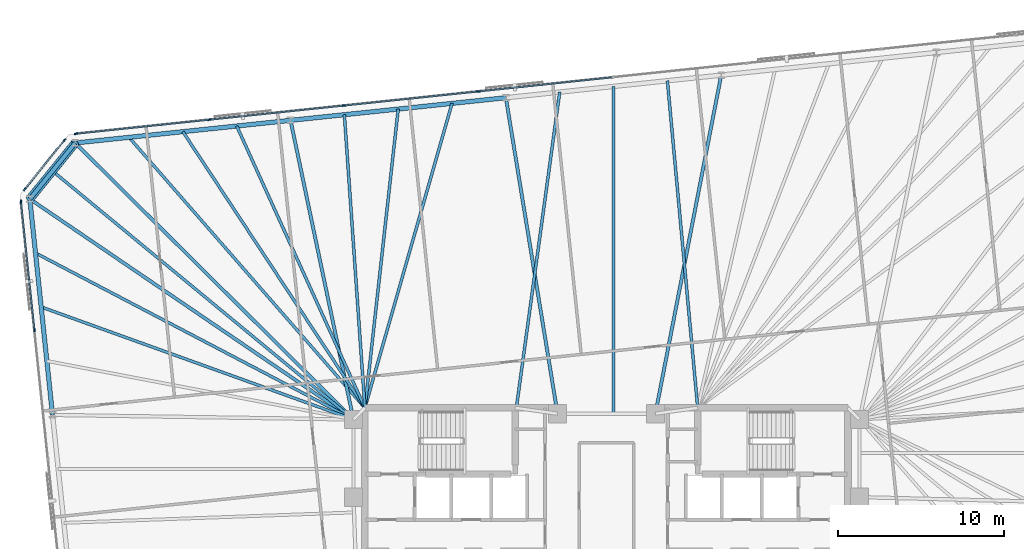
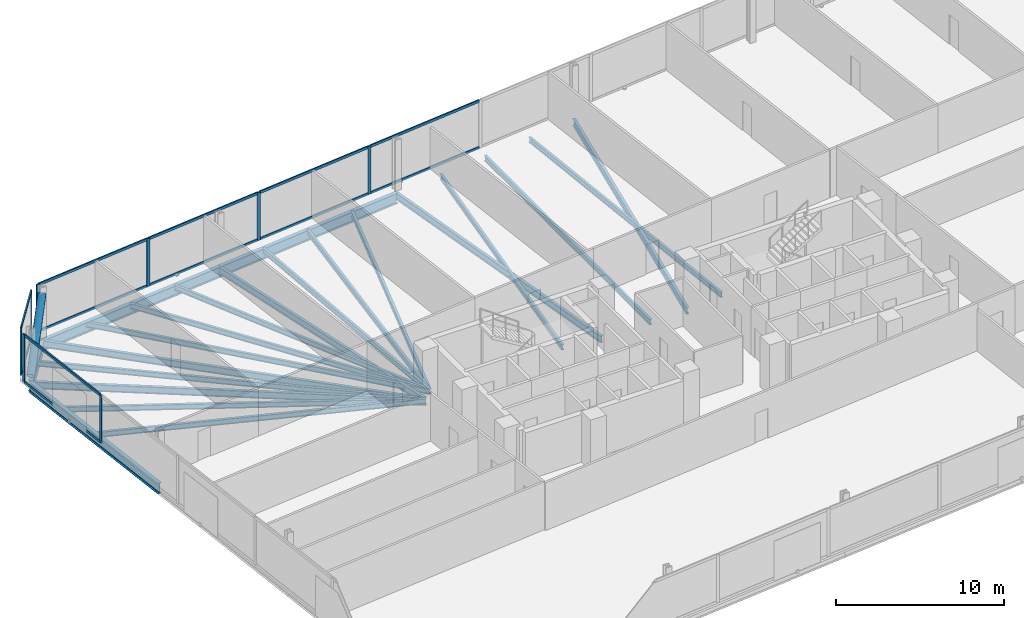
# One storey, part 9 of 18: 21 beams, 21 members, 3 elements without a shape of their own.
"""IFC4 building model written with IfcOpenShell, lengths in metres."""

from ifc_helpers import new_model, si_unit, direction, frame, origin, origin_2d, place, context, subcontext, project, spatial, rectangle, hollow_circle, i_section, extrude, material, material_profile, profile_set, type_object, element, aggregate, save


model = new_model("IFC4")

# Units and contexts
model_context = context("Model", 3, precision=1e-05, world=origin(), true_north=direction((0.0, 1.0)))
body_context = subcontext(model_context, "Body", "Model", "MODEL_VIEW")
ifc_project = project(units=[si_unit("LENGTHUNIT", "METRE"), si_unit("AREAUNIT", "SQUARE_METRE"), si_unit("VOLUMEUNIT", "CUBIC_METRE"), si_unit("PLANEANGLEUNIT", "RADIAN"), si_unit("MASSUNIT", "GRAM", prefix="KILO")], contexts=[model_context])

# Site, building, storey
site_placement = place(None, origin())
site = spatial("IfcSite", under=ifc_project, at=site_placement, CompositionType="ELEMENT")
building_placement = place(site_placement, origin())
building = spatial("IfcBuilding", under=site, at=building_placement, Name="Menara Jurai Vektor", CompositionType="ELEMENT")
storey_placement = place(building_placement, frame((0.0, 0.0, 105.89990234375)))
storey = spatial("IfcBuildingStorey", under=building, at=storey_placement, Name="L26", CompositionType="ELEMENT", Elevation=105.89990234375)

# Curtain wall, members
ifc_material_1 = material(Name="Anodised Pale Aluminium & Low-E Double Glazing", Category="aluminium")
curtain_wall_type = type_object("IfcCurtainWallType", Name="CW-BLK2", PredefinedType="NOTDEFINED", material=ifc_material_1)
curtain_wall_1_placement = place(storey_placement, origin())
curtain_wall_1 = element("IfcCurtainWall", 1, at=curtain_wall_1_placement, inside=storey, type_object=curtain_wall_type, Name="Unitised Curtain Wall L26 F05", PredefinedType="NOTDEFINED")
ifc_material_2 = material(Name="Anodised Pale Aluminium Mullion", Category="aluminium")
ifc_material_profile_1 = material_profile(ifc_material_2, rectangle(XDim=0.090087890625, YDim=0.219970703125, at=origin_2d()), Name="ALU MUL 90x220")
ifc_profile_set_1 = profile_set([ifc_material_profile_1], Name="Anodised Pale Aluminium Mullion")
member_type_1 = type_object("IfcMemberType", Name="CW-BLK2-MUL", PredefinedType="MULLION", material=ifc_profile_set_1)
member_1_placement = place(storey_placement, frame((-7.728271484375, 24.67138671875, 0.0), z_axis=(0.0, 0.0, 1.0), x_axis=(0.104528634935, -0.994521877325, 0.0)))
member_1 = element("IfcMember", 2, at=member_1_placement, type_object=member_type_1, Name="CW-02 mullion 6", PredefinedType="MULLION", context=body_context, shape_type="SweptSolid", body=[
    extrude(rectangle(XDim=0.090087890625, YDim=0.219970703125, at=origin_2d()), origin(), (0.0, 0.0, 1.0), 3.47509765625),
])
member_2_placement = place(storey_placement, frame((-15.826171875, 23.8203125, 0.0), z_axis=(0.0, 0.0, 1.0), x_axis=(0.104528634935, -0.994521877325, 0.0)))
member_2 = element("IfcMember", 3, at=member_2_placement, type_object=member_type_1, Name="CW-02 mullion 7", PredefinedType="MULLION", context=body_context, shape_type="SweptSolid", body=[
    extrude(rectangle(XDim=0.090087890625, YDim=0.219970703125, at=origin_2d()), origin(), (0.0, 0.0, 1.0), 3.47509765625),
])
member_3_placement = place(storey_placement, frame((-23.924072265625, 22.96923828125, 0.0), z_axis=(0.0, 0.0, 1.0), x_axis=(0.104528634935, -0.994521877325, 0.0)))
member_3 = element("IfcMember", 4, at=member_3_placement, type_object=member_type_1, Name="CW-02 mullion 8", PredefinedType="MULLION", context=body_context, shape_type="SweptSolid", body=[
    extrude(rectangle(XDim=0.090087890625, YDim=0.219970703125, at=origin_2d()), origin(), (0.0, 0.0, 1.0), 3.47509765625),
])
member_4_placement = place(storey_placement, frame((-31.97705078125, 22.122802734375, 0.0), z_axis=(0.0, 0.0, 1.0), x_axis=(0.104528634935, -0.994521877325, 0.0)))
member_4 = element("IfcMember", 5, at=member_4_placement, type_object=member_type_1, Name="CW-02 mullion 9", PredefinedType="MULLION", context=body_context, shape_type="SweptSolid", body=[
    extrude(rectangle(XDim=0.090087890625, YDim=0.219970703125, at=origin_2d()), origin(), (0.0, 0.0, 1.0), 3.47509765625),
])

curtain_wall_2_placement = place(storey_placement, origin())
curtain_wall_2 = element("IfcCurtainWall", 6, at=curtain_wall_2_placement, inside=storey, type_object=curtain_wall_type, Name="Unitised Curtain Wall L26 F06", PredefinedType="NOTDEFINED")
member_5_placement = place(storey_placement, frame((-32.667236328125, 21.748046875, 0.0), z_axis=(0.0, 0.0, 1.0), x_axis=(0.777129222223, -0.62934106172, 0.0)))
member_5 = element("IfcMember", 7, at=member_5_placement, type_object=member_type_1, Name="CW-02 mullion 1", PredefinedType="MULLION", context=body_context, shape_type="SweptSolid", body=[
    extrude(rectangle(XDim=0.090087890625, YDim=0.219970703125, at=origin_2d()), origin(), (0.0, 0.0, 1.0), 3.47509765625),
])
member_6_placement = place(storey_placement, frame((-35.0693359375, 18.781982421875, 0.0), z_axis=(0.0, 0.0, 1.0), x_axis=(0.777129222223, -0.62934106172, 0.0)))
member_6 = element("IfcMember", 8, at=member_6_placement, type_object=member_type_1, Name="CW-02 mullion 2", PredefinedType="MULLION", context=body_context, shape_type="SweptSolid", body=[
    extrude(rectangle(XDim=0.090087890625, YDim=0.219970703125, at=origin_2d()), origin(), (0.0, 0.0, 1.0), 3.47509765625),
])

curtain_wall_3_placement = place(storey_placement, origin())
curtain_wall_3 = element("IfcCurtainWall", 9, at=curtain_wall_3_placement, inside=storey, type_object=curtain_wall_type, Name="Unitised Curtain Wall L26 F07", PredefinedType="NOTDEFINED")
member_7_placement = place(storey_placement, frame((-35.29248046875, 18.029052734375, 0.0), z_axis=(0.0, 0.0, 1.0), x_axis=(0.99452177832, 0.104529576902, 0.0)))
member_7 = element("IfcMember", 10, at=member_7_placement, type_object=member_type_1, Name="CW-02 mullion 1", PredefinedType="MULLION", context=body_context, shape_type="SweptSolid", body=[
    extrude(rectangle(XDim=0.090087890625, YDim=0.219970703125, at=origin_2d()), origin(), (0.0, 0.0, 1.0), 3.47509765625),
])
member_8_placement = place(storey_placement, frame((-34.478759765625, 10.28857421875, 0.0), z_axis=(0.0, 0.0, 1.0), x_axis=(0.99452177832, 0.104529576902, 0.0)))
member_8 = element("IfcMember", 11, at=member_8_placement, type_object=member_type_1, Name="CW-02 mullion 2", PredefinedType="MULLION", context=body_context, shape_type="SweptSolid", body=[
    extrude(rectangle(XDim=0.090087890625, YDim=0.219970703125, at=origin_2d()), origin(), (0.0, 0.0, 1.0), 3.47509765625),
])

# Member
ifc_material_3 = material(Name="Anodised Pale Aluminium Transom", Category="aluminium")
ifc_material_profile_2 = material_profile(ifc_material_3, rectangle(XDim=0.090087890625, YDim=0.18505859375, at=origin_2d()), Name="ALU TRN 90x185")
ifc_profile_set_2 = profile_set([ifc_material_profile_2], Name="Anodised Pale Aluminium Transom")
member_type_2 = type_object("IfcMemberType", Name="CW-BLK2-TRN", PredefinedType="USERDEFINED", material=ifc_profile_set_2)
member_9_placement = place(storey_placement, frame((0.324951171875, 25.517822265625, 0.045166015625), z_axis=(-0.99452387809, -0.104509597213, 0.0), x_axis=(0.104509597213, -0.99452387809, 0.0)))
member_9 = element("IfcMember", 12, at=member_9_placement, type_object=member_type_2, Name="CW-02 transom 5.1", ObjectType="TRANSOM", PredefinedType="USERDEFINED", context=body_context, shape_type="SweptSolid", body=[
    extrude(rectangle(XDim=0.090087890625, YDim=0.18505859375, at=origin_2d()), origin(), (0.0, 0.0, 1.0), 8.052490234375),
])

member_10_placement = place(storey_placement, frame((0.324951171875, 25.517822265625, 3.43017578125), z_axis=(-0.99452387809, -0.104509597213, 0.0), x_axis=(0.104509597213, -0.99452387809, 0.0)))
member_10 = element("IfcMember", 13, at=member_10_placement, type_object=member_type_2, Name="CW-02 transom 5.2", ObjectType="TRANSOM", PredefinedType="USERDEFINED", context=body_context, shape_type="SweptSolid", body=[
    extrude(rectangle(XDim=0.090087890625, YDim=0.18505859375, at=origin_2d()), origin(), (0.0, 0.0, 1.0), 8.052490234375),
])

member_11_placement = place(storey_placement, frame((-7.77294921875, 24.666748046875, 0.045166015625), z_axis=(-0.994520726373, -0.10453958492, 0.0), x_axis=(0.10453958492, -0.994520726373, 0.0)))
member_11 = element("IfcMember", 14, at=member_11_placement, type_object=member_type_2, Name="CW-02 transom 6.1", ObjectType="TRANSOM", PredefinedType="USERDEFINED", context=body_context, shape_type="SweptSolid", body=[
    extrude(rectangle(XDim=0.090087890625, YDim=0.18505859375, at=origin_2d()), origin(), (0.0, 0.0, 1.0), 8.052490234375),
])

member_12_placement = place(storey_placement, frame((-7.77294921875, 24.666748046875, 3.43017578125), z_axis=(-0.994520726373, -0.10453958492, 0.0), x_axis=(0.10453958492, -0.994520726373, 0.0)))
member_12 = element("IfcMember", 15, at=member_12_placement, type_object=member_type_2, Name="CW-02 transom 6.2", ObjectType="TRANSOM", PredefinedType="USERDEFINED", context=body_context, shape_type="SweptSolid", body=[
    extrude(rectangle(XDim=0.090087890625, YDim=0.18505859375, at=origin_2d()), origin(), (0.0, 0.0, 1.0), 8.052490234375),
])

member_13_placement = place(storey_placement, frame((-15.870849609375, 23.815673828125, 0.045166015625), z_axis=(-0.994520726373, -0.10453958492, 0.0), x_axis=(0.10453958492, -0.994520726373, 0.0)))
member_13 = element("IfcMember", 16, at=member_13_placement, type_object=member_type_2, Name="CW-02 transom 7.1", ObjectType="TRANSOM", PredefinedType="USERDEFINED", context=body_context, shape_type="SweptSolid", body=[
    extrude(rectangle(XDim=0.090087890625, YDim=0.18505859375, at=origin_2d()), origin(), (0.0, 0.0, 1.0), 8.052490234375),
])

member_14_placement = place(storey_placement, frame((-15.870849609375, 23.815673828125, 3.43017578125), z_axis=(-0.994520726373, -0.10453958492, 0.0), x_axis=(0.10453958492, -0.994520726373, 0.0)))
member_14 = element("IfcMember", 17, at=member_14_placement, type_object=member_type_2, Name="CW-02 transom 7.2", ObjectType="TRANSOM", PredefinedType="USERDEFINED", context=body_context, shape_type="SweptSolid", body=[
    extrude(rectangle(XDim=0.090087890625, YDim=0.18505859375, at=origin_2d()), origin(), (0.0, 0.0, 1.0), 8.052490234375),
])

member_15_placement = place(storey_placement, frame((-23.96875, 22.964599609375, 0.045166015625), z_axis=(-0.994519977808, -0.104546706027, 0.0), x_axis=(0.104546706027, -0.994519977808, 0.0)))
member_15 = element("IfcMember", 18, at=member_15_placement, type_object=member_type_2, Name="CW-02 transom 8.1", ObjectType="TRANSOM", PredefinedType="USERDEFINED", context=body_context, shape_type="SweptSolid", body=[
    extrude(rectangle(XDim=0.090087890625, YDim=0.18505859375, at=origin_2d()), origin(), (0.0, 0.0, 1.0), 8.007568359375),
])

member_16_placement = place(storey_placement, frame((-23.96875, 22.964599609375, 3.43017578125), z_axis=(-0.994519977808, -0.104546706027, 0.0), x_axis=(0.104546706027, -0.994519977808, 0.0)))
member_16 = element("IfcMember", 19, at=member_16_placement, type_object=member_type_2, Name="CW-02 transom 8.2", ObjectType="TRANSOM", PredefinedType="USERDEFINED", context=body_context, shape_type="SweptSolid", body=[
    extrude(rectangle(XDim=0.090087890625, YDim=0.18505859375, at=origin_2d()), origin(), (0.0, 0.0, 1.0), 8.007568359375),
])

aggregate(curtain_wall_1, [member_1, member_2, member_3, member_4, member_9, member_10, member_11, member_12, member_13, member_14, member_15, member_16])

member_17_placement = place(storey_placement, frame((-32.695556640625, 21.713134765625, 0.045166015625), z_axis=(-0.6293414396, -0.777128916205, 0.0), x_axis=(0.777128916205, -0.6293414396, 0.0)))
member_17 = element("IfcMember", 20, at=member_17_placement, type_object=member_type_2, Name="CW-02 transom 1.1", ObjectType="TRANSOM", PredefinedType="USERDEFINED", context=body_context, shape_type="SweptSolid", body=[
    extrude(rectangle(XDim=0.090087890625, YDim=0.18505859375, at=origin_2d()), origin(), (0.0, 0.0, 1.0), 3.726806640625),
])

member_18_placement = place(storey_placement, frame((-32.695556640625, 21.713134765625, 3.43017578125), z_axis=(-0.6293414396, -0.777128916205, 0.0), x_axis=(0.777128916205, -0.6293414396, 0.0)))
member_18 = element("IfcMember", 21, at=member_18_placement, type_object=member_type_2, Name="CW-02 transom 1.2", ObjectType="TRANSOM", PredefinedType="USERDEFINED", context=body_context, shape_type="SweptSolid", body=[
    extrude(rectangle(XDim=0.090087890625, YDim=0.18505859375, at=origin_2d()), origin(), (0.0, 0.0, 1.0), 3.726806640625),
])

aggregate(curtain_wall_2, [member_5, member_6, member_17, member_18])

member_19_placement = place(storey_placement, frame((-35.28759765625, 17.984130859375, 0.045166015625), z_axis=(0.104504716935, -0.994524390922, 0.0), x_axis=(0.994524390922, 0.104504716935, 0.0)))
member_19 = element("IfcMember", 22, at=member_19_placement, type_object=member_type_2, Name="CW-02 transom 1.1", ObjectType="TRANSOM", PredefinedType="USERDEFINED", context=body_context, shape_type="SweptSolid", body=[
    extrude(rectangle(XDim=0.090087890625, YDim=0.18505859375, at=origin_2d()), origin(), (0.0, 0.0, 1.0), 7.693115234375),
])

member_20_placement = place(storey_placement, frame((-35.28759765625, 17.984130859375, 3.43017578125), z_axis=(0.104504716935, -0.994524390922, 0.0), x_axis=(0.994524390922, 0.104504716935, 0.0)))
member_20 = element("IfcMember", 23, at=member_20_placement, type_object=member_type_2, Name="CW-02 transom 1.2", ObjectType="TRANSOM", PredefinedType="USERDEFINED", context=body_context, shape_type="SweptSolid", body=[
    extrude(rectangle(XDim=0.090087890625, YDim=0.18505859375, at=origin_2d()), origin(), (0.0, 0.0, 1.0), 7.693115234375),
])

aggregate(curtain_wall_3, [member_7, member_8, member_19, member_20])

# Beams
ifc_material_4 = material(Name="Steel S355", Category="steel")
ifc_material_profile_3 = material_profile(ifc_material_4, i_section(OverallWidth=0.199951171875, OverallDepth=0.5, WebThickness=0.011962890625, FlangeThickness=0.02001953125, at=origin_2d()), Name="PG 500x200x96")
ifc_profile_set_3 = profile_set([ifc_material_profile_3], Name="Steel S355")
beam_type_1 = type_object("IfcBeamType", Name="STR-BM-500", PredefinedType="BEAM", material=ifc_profile_set_3)
beam_1_placement = place(storey_placement, frame((6.9169921875, 25.65771484375, -0.474853515625), z_axis=(-0.190817481746, -0.981625533826, 0.0), x_axis=(0.981625533826, -0.190817481746, 0.0)))
element("IfcBeam", 24, at=beam_1_placement, inside=storey, type_object=beam_type_1, Name="Radial Floor Girder L26-N3", PredefinedType="BEAM", context=body_context, shape_type="SweptSolid", body=[
    extrude(i_section(OverallWidth=0.199951171875, OverallDepth=0.5, WebThickness=0.011962890625, FlangeThickness=0.02001953125, at=origin_2d()), origin(), (0.0, 0.0, 1.0), 20.789794921875),
])
beam_2_placement = place(storey_placement, frame((-6.0625, 24.29345703125, -0.474853515625), z_axis=(0.161304178177, -0.986904738109, 0.0), x_axis=(0.986904738109, 0.161304178177, 0.0)))
element("IfcBeam", 25, at=beam_2_placement, inside=storey, type_object=beam_type_1, Name="Radial Floor Girder L26-N4", PredefinedType="BEAM", context=body_context, shape_type="SweptSolid", body=[
    extrude(i_section(OverallWidth=0.199951171875, OverallDepth=0.5, WebThickness=0.011962890625, FlangeThickness=0.02001953125, at=origin_2d()), origin(), (0.0, 0.0, 1.0), 19.296142578125),
])
beam_3_placement = place(storey_placement, frame((-19.042236328125, 22.92919921875, -0.474853515625), z_axis=(0.205833499861, -0.978587027471, 0.0), x_axis=(0.978587027471, 0.205833499861, 0.0)))
element("IfcBeam", 26, at=beam_3_placement, inside=storey, type_object=beam_type_1, Name="Radial Floor Girder L26-N5", PredefinedType="BEAM", context=body_context, shape_type="SweptSolid", body=[
    extrude(i_section(OverallWidth=0.199951171875, OverallDepth=0.5, WebThickness=0.011962890625, FlangeThickness=0.02001953125, at=origin_2d()), origin(), (0.0, 0.0, 1.0), 18.423828125),
])
beam_4_placement = place(storey_placement, frame((-32.02197265625, 21.565185546875, -0.474853515625), z_axis=(0.709359361276, -0.704847002242, 0.0), x_axis=(0.704847002242, 0.709359361276, 0.0)))
element("IfcBeam", 27, at=beam_4_placement, inside=storey, type_object=beam_type_1, Name="Radial Floor Girder L26-N6", PredefinedType="BEAM", context=body_context, shape_type="SweptSolid", body=[
    extrude(i_section(OverallWidth=0.199951171875, OverallDepth=0.5, WebThickness=0.011962890625, FlangeThickness=0.02001953125, at=origin_2d()), origin(), (0.0, 0.0, 1.0), 23.643798828125),
])
beam_5_placement = place(storey_placement, frame((-34.756103515625, 18.188720703125, -0.474853515625), z_axis=(0.826440214756, -0.563024485643, 0.0), x_axis=(0.563024485643, 0.826440214756, 0.0)))
element("IfcBeam", 28, at=beam_5_placement, inside=storey, type_object=beam_type_1, Name="Radial Floor Girder L26-W1", PredefinedType="BEAM", context=body_context, shape_type="SweptSolid", body=[
    extrude(i_section(OverallWidth=0.199951171875, OverallDepth=0.5, WebThickness=0.011962890625, FlangeThickness=0.02001953125, at=origin_2d()), origin(), (0.0, 0.0, 1.0), 23.6025390625),
])

# Member
ifc_material_5 = material(Name="Steel S460", Category="steel")
ifc_material_profile_4 = material_profile(ifc_material_5, hollow_circle(Radius=0.25390625, WallThickness=0.02001953125, at=origin_2d()), Name="CHS 508x20")
ifc_profile_set_4 = profile_set([ifc_material_profile_4], Name="Steel S460")
member_type_3 = type_object("IfcMemberType", Name="STR-BR-508", PredefinedType="BRACE", material=ifc_profile_set_4)
member_21_placement = place(storey_placement, frame((-34.756103515625, 18.188720703125, 0.150146484375), z_axis=(0.51925145818, 0.641240080956, 0.564968213047), x_axis=(-0.777154568396, 0.629309762217, 0.0)))
element("IfcMember", 29, at=member_21_placement, inside=storey, type_object=member_type_3, Name="Exoskeleton Corner Brace L26-3", PredefinedType="BRACE", context=body_context, shape_type="SweptSolid", body=[
    extrude(hollow_circle(Radius=0.25390625, WallThickness=0.02001953125, at=origin_2d()), origin(), (0.0, 0.0, 1.0), 5.265625),
])

# Beams
ifc_material_profile_5 = material_profile(ifc_material_4, i_section(OverallWidth=0.175048828125, OverallDepth=0.3798828125, WebThickness=0.010009765625, FlangeThickness=0.014892578125, at=origin_2d()), Name="PG 380x175x58")
ifc_profile_set_5 = profile_set([ifc_material_profile_5], Name="Steel S355")
beam_type_2 = type_object("IfcBeamType", Name="STR-JS-380", PredefinedType="JOIST", material=ifc_profile_set_5)
beam_6_placement = place(storey_placement, frame((3.672119140625, 25.316650390625, -0.414794921875), z_axis=(0.092312082085, -0.995730123829, 0.0), x_axis=(0.995730123829, 0.092312082085, 0.0)))
element("IfcBeam", 30, at=beam_6_placement, inside=storey, type_object=beam_type_2, Name="Radial Secondary Floor Joist L26-JS26", PredefinedType="JOIST", context=body_context, shape_type="SweptSolid", body=[
    extrude(i_section(OverallWidth=0.175048828125, OverallDepth=0.3798828125, WebThickness=0.010009765625, FlangeThickness=0.014892578125, at=origin_2d()), origin(), (0.0, 0.0, 1.0), 19.801025390625),
])
beam_7_placement = place(storey_placement, frame((0.42724609375, 24.9755859375, -0.414794921875), z_axis=(0.0, -1.0, 0.0), x_axis=(1.0, 0.0, 0.0)))
element("IfcBeam", 31, at=beam_7_placement, inside=storey, type_object=beam_type_2, Name="Radial Secondary Floor Joist L26-JS27", PredefinedType="JOIST", context=body_context, shape_type="SweptSolid", body=[
    extrude(i_section(OverallWidth=0.175048828125, OverallDepth=0.3798828125, WebThickness=0.010009765625, FlangeThickness=0.014892578125, at=origin_2d()), origin(), (0.0, 0.0, 1.0), 19.7255859375),
])
beam_8_placement = place(storey_placement, frame((-2.817626953125, 24.634521484375, -0.414794921875), z_axis=(-0.135987109192, -0.990710606652, 0.0), x_axis=(0.990710606652, -0.135987109192, 0.0)))
element("IfcBeam", 32, at=beam_8_placement, inside=storey, type_object=beam_type_2, Name="Radial Secondary Floor Joist L26-JS28", PredefinedType="JOIST", context=body_context, shape_type="SweptSolid", body=[
    extrude(i_section(OverallWidth=0.175048828125, OverallDepth=0.3798828125, WebThickness=0.010009765625, FlangeThickness=0.014892578125, at=origin_2d()), origin(), (0.0, 0.0, 1.0), 19.222412109375),
])
beam_9_placement = place(storey_placement, frame((-9.3076171875, 23.952392578125, -0.414794921875), z_axis=(-0.275153530359, -0.961400298903, 0.0), x_axis=(0.961400298903, -0.275153530359, 0.0)))
element("IfcBeam", 33, at=beam_9_placement, inside=storey, type_object=beam_type_2, Name="Radial Secondary Floor Joist L26-JS29", PredefinedType="JOIST", context=body_context, shape_type="SweptSolid", body=[
    extrude(i_section(OverallWidth=0.175048828125, OverallDepth=0.3798828125, WebThickness=0.010009765625, FlangeThickness=0.014892578125, at=origin_2d()), origin(), (0.0, 0.0, 1.0), 19.089111328125),
])
beam_10_placement = place(storey_placement, frame((-12.552490234375, 23.611328125, -0.414794921875), z_axis=(-0.110776028048, -0.993845396231, 0.0), x_axis=(0.993845396231, -0.110776028048, 0.0)))
element("IfcBeam", 34, at=beam_10_placement, inside=storey, type_object=beam_type_2, Name="Radial Secondary Floor Joist L26-JS30", PredefinedType="JOIST", context=body_context, shape_type="SweptSolid", body=[
    extrude(i_section(OverallWidth=0.175048828125, OverallDepth=0.3798828125, WebThickness=0.010009765625, FlangeThickness=0.014892578125, at=origin_2d()), origin(), (0.0, 0.0, 1.0), 18.122802734375),
])
beam_11_placement = place(storey_placement, frame((-15.79736328125, 23.2705078125, -0.414794921875), z_axis=(0.069850249402, -0.997557488398, 0.0), x_axis=(0.997557488398, 0.069850249402, 0.0)))
element("IfcBeam", 35, at=beam_11_placement, inside=storey, type_object=beam_type_2, Name="Radial Secondary Floor Joist L26-JS31", PredefinedType="JOIST", context=body_context, shape_type="SweptSolid", body=[
    extrude(i_section(OverallWidth=0.175048828125, OverallDepth=0.3798828125, WebThickness=0.010009765625, FlangeThickness=0.014892578125, at=origin_2d()), origin(), (0.0, 0.0, 1.0), 17.713623046875),
])
beam_12_placement = place(storey_placement, frame((-22.287109375, 22.58837890625, -0.414794921875), z_axis=(0.414029617818, -0.910263409992, 0.0), x_axis=(0.910263409992, 0.414029617818, 0.0)))
element("IfcBeam", 36, at=beam_12_placement, inside=storey, type_object=beam_type_2, Name="Radial Secondary Floor Joist L26-JS32", PredefinedType="JOIST", context=body_context, shape_type="SweptSolid", body=[
    extrude(i_section(OverallWidth=0.175048828125, OverallDepth=0.3798828125, WebThickness=0.010009765625, FlangeThickness=0.014892578125, at=origin_2d()), origin(), (0.0, 0.0, 1.0), 18.6630859375),
])
beam_13_placement = place(storey_placement, frame((-25.531982421875, 22.247314453125, -0.414794921875), z_axis=(0.550309675793, -0.834960634239, 0.0), x_axis=(0.834960634239, 0.550309675793, 0.0)))
element("IfcBeam", 37, at=beam_13_placement, inside=storey, type_object=beam_type_2, Name="Radial Secondary Floor Joist L26-JS33", PredefinedType="JOIST", context=body_context, shape_type="SweptSolid", body=[
    extrude(i_section(OverallWidth=0.175048828125, OverallDepth=0.3798828125, WebThickness=0.010009765625, FlangeThickness=0.014892578125, at=origin_2d()), origin(), (0.0, 0.0, 1.0), 19.937744140625),
])
beam_14_placement = place(storey_placement, frame((-28.777099609375, 21.90625, -0.414794921875), z_axis=(0.657172520545, -0.753740192798, 0.0), x_axis=(0.753740192798, 0.657172520545, 0.0)))
element("IfcBeam", 38, at=beam_14_placement, inside=storey, type_object=beam_type_2, Name="Radial Secondary Floor Joist L26-JS34", PredefinedType="JOIST", context=body_context, shape_type="SweptSolid", body=[
    extrude(i_section(OverallWidth=0.175048828125, OverallDepth=0.3798828125, WebThickness=0.010009765625, FlangeThickness=0.014892578125, at=origin_2d()), origin(), (0.0, 0.0, 1.0), 21.633544921875),
])
beam_15_placement = place(storey_placement, frame((-33.388916015625, 19.876953125, -0.414794921875), z_axis=(0.771113505069, -0.636697700876, 0.0), x_axis=(0.636697700876, 0.771113505069, 0.0)))
element("IfcBeam", 39, at=beam_15_placement, inside=storey, type_object=beam_type_2, Name="Radial Secondary Floor Joist L26-JS35", PredefinedType="JOIST", context=body_context, shape_type="SweptSolid", body=[
    extrude(i_section(OverallWidth=0.175048828125, OverallDepth=0.3798828125, WebThickness=0.010009765625, FlangeThickness=0.014892578125, at=origin_2d()), origin(), (0.0, 0.0, 1.0), 23.52294921875),
])
beam_16_placement = place(storey_placement, frame((-34.414306640625, 14.935302734375, -0.414794921875), z_axis=(0.885889402471, -0.463896504179, 0.0), x_axis=(0.463896504179, 0.885889402471, 0.0)))
element("IfcBeam", 40, at=beam_16_placement, inside=storey, type_object=beam_type_2, Name="Radial Secondary Floor Joist L26-JS36", PredefinedType="JOIST", context=body_context, shape_type="SweptSolid", body=[
    extrude(i_section(OverallWidth=0.175048828125, OverallDepth=0.3798828125, WebThickness=0.010009765625, FlangeThickness=0.014892578125, at=origin_2d()), origin(), (0.0, 0.0, 1.0), 21.6328125),
])
beam_17_placement = place(storey_placement, frame((-34.072265625, 11.681884765625, -0.414794921875), z_axis=(0.940792327273, -0.338983475917, 0.0), x_axis=(0.338983475917, 0.940792327273, 0.0)))
element("IfcBeam", 41, at=beam_17_placement, inside=storey, type_object=beam_type_2, Name="Radial Secondary Floor Joist L26-JS37", PredefinedType="JOIST", context=body_context, shape_type="SweptSolid", body=[
    extrude(i_section(OverallWidth=0.175048828125, OverallDepth=0.3798828125, WebThickness=0.010009765625, FlangeThickness=0.014892578125, at=origin_2d()), origin(), (0.0, 0.0, 1.0), 20.0068359375),
])
ifc_material_profile_6 = material_profile(ifc_material_5, i_section(OverallWidth=0.26806640625, OverallDepth=0.77001953125, WebThickness=0.01611328125, FlangeThickness=0.02490234375, FilletRadius=0.01708984375, at=origin_2d()), Name="UKB 762x267x197")
ifc_profile_set_6 = profile_set([ifc_material_profile_6], Name="Steel S460")
beam_type_3 = type_object("IfcBeamType", Name="STR-SP-762", PredefinedType="SPANDREL", material=ifc_profile_set_6)
for number, where, z_axis, x_axis, name in (
    (42, (-6.0625, 24.29345703125, -0.60986328125), (-0.994521636083, -0.104530930169, 0.0), (0.104530930169, -0.994521636083, 0.0), "Exoskeleton Spandrel Beam L26-14"),
    (43, (-19.042236328125, 22.92919921875, -0.60986328125), (-0.994523580592, -0.104512428191, 0.0), (0.104512428191, -0.994523580592, 0.0), "Exoskeleton Spandrel Beam L26-15"),
):
    element("IfcBeam", number, at=place(storey_placement, frame(where, z_axis=z_axis, x_axis=x_axis)), inside=storey, type_object=beam_type_3, Name=name, PredefinedType="SPANDREL", context=body_context, shape_type="SweptSolid", body=[
        extrude(i_section(OverallWidth=0.26806640625, OverallDepth=0.77001953125, WebThickness=0.01611328125, FlangeThickness=0.02490234375, FilletRadius=0.01708984375, at=origin_2d()), origin(), (0.0, 0.0, 1.0), 13.05126953125),
    ])
beam_18_placement = place(storey_placement, frame((-32.02197265625, 21.565185546875, -0.60986328125), z_axis=(-0.629309762217, -0.777154568396, 0.0), x_axis=(0.777154568396, -0.629309762217, 0.0)))
element("IfcBeam", 44, at=beam_18_placement, inside=storey, type_object=beam_type_3, Name="Exoskeleton Spandrel Beam L26-16", PredefinedType="SPANDREL", context=body_context, shape_type="SweptSolid", body=[
    extrude(i_section(OverallWidth=0.26806640625, OverallDepth=0.77001953125, WebThickness=0.01611328125, FlangeThickness=0.02490234375, FilletRadius=0.01708984375, at=origin_2d()), origin(), (0.0, 0.0, 1.0), 4.3447265625),
])
beam_19_placement = place(storey_placement, frame((-34.756103515625, 18.188720703125, -0.60986328125), z_axis=(0.104538130097, -0.994520879296, 0.0), x_axis=(0.994520879296, 0.104538130097, 0.0)))
element("IfcBeam", 45, at=beam_19_placement, inside=storey, type_object=beam_type_3, Name="Exoskeleton Spandrel Beam L26-17", PredefinedType="SPANDREL", context=body_context, shape_type="SweptSolid", body=[
    extrude(i_section(OverallWidth=0.26806640625, OverallDepth=0.77001953125, WebThickness=0.01611328125, FlangeThickness=0.02490234375, FilletRadius=0.01708984375, at=origin_2d()), origin(), (0.0, 0.0, 1.0), 13.08544921875),
])

save(model, "model.ifc")
